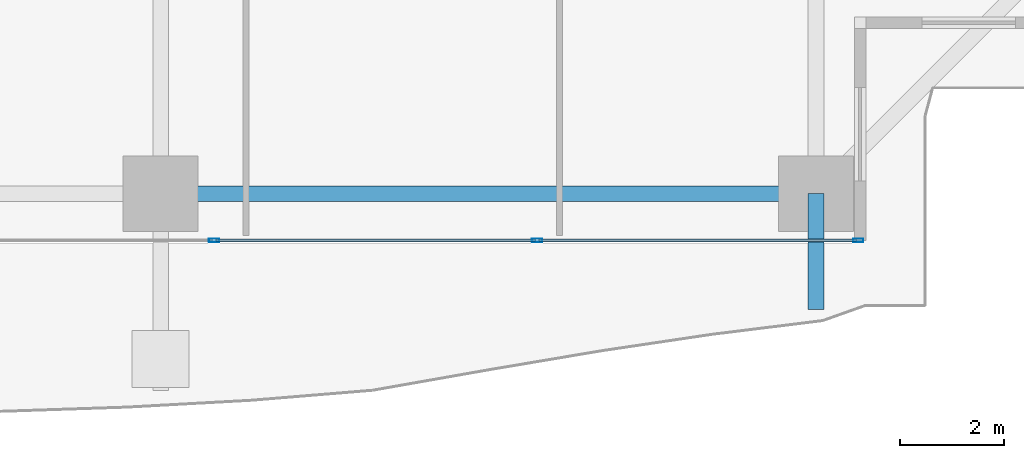
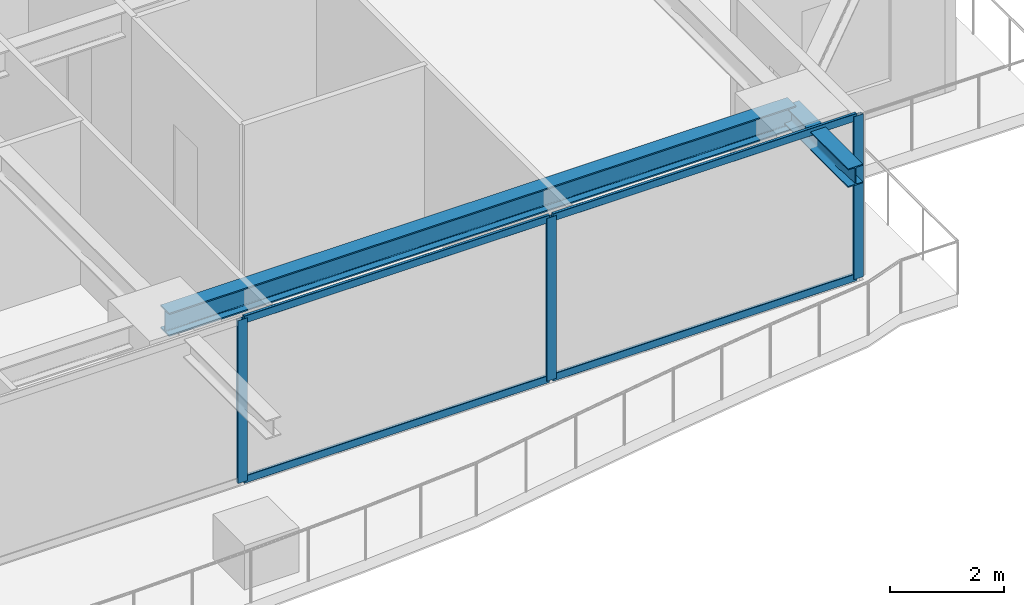
# One storey, part 11 of 40: 7 members, 2 beams, 1 element without a shape of its own.
"""IFC4 building model written with IfcOpenShell, lengths in metres."""

from ifc_helpers import new_model, si_unit, direction, frame, origin, origin_2d, place, context, subcontext, project, spatial, hollow_rectangle, i_section, extrude, source, transform, mapped, material, layer, layer_set, material_profile, profile_set, type_object, element, aggregate, save


model = new_model("IFC4")

# Units and contexts
model_context = context("Model", 3, precision=1e-05, world=origin(), true_north=direction((0.0, 1.0)))
body_context = subcontext(model_context, "Body", "Model", "MODEL_VIEW")
ifc_project = project(units=[si_unit("LENGTHUNIT", "METRE"), si_unit("AREAUNIT", "SQUARE_METRE"), si_unit("VOLUMEUNIT", "CUBIC_METRE"), si_unit("PLANEANGLEUNIT", "RADIAN"), si_unit("MASSUNIT", "GRAM", prefix="KILO")], contexts=[model_context])

# Site, building, storey
site_placement = place(None, origin())
site = spatial("IfcSite", under=ifc_project, at=site_placement, CompositionType="ELEMENT")
building_placement = place(site_placement, origin())
building = spatial("IfcBuilding", under=site, at=building_placement, Name="Serunith Strait Residences", CompositionType="ELEMENT")
storey_placement = place(building_placement, frame((0.0, 0.0, 90.449951171875)))
storey = spatial("IfcBuildingStorey", under=building, at=storey_placement, Name="L22", CompositionType="ELEMENT", Elevation=90.449951171875)

# Beams
ifc_material_1 = material(Name="Steel S355J2", Category="steel")
ifc_material_profile_1 = material_profile(ifc_material_1, i_section(OverallWidth=0.300048828125, OverallDepth=0.5, WebThickness=0.014404296875, FlangeThickness=0.028076171875, FilletRadius=0.027099609375, at=origin_2d()), Name="HEB 500")
ifc_profile_set_1 = profile_set([ifc_material_profile_1], Name="Steel S355J2")
beam_type_1 = type_object("IfcBeamType", Name="BM-HEB500", PredefinedType="BEAM", material=ifc_profile_set_1)
shared_shape_1 = source(origin(), body_context, "Body", "SweptSolid", [
    extrude(i_section(OverallWidth=0.300048828125, OverallDepth=0.5, WebThickness=0.014404296875, FlangeThickness=0.028076171875, FilletRadius=0.027099609375, at=origin_2d()), origin(), (0.0, 0.0, 1.0), 12.650146484375),
])
beam_1_placement = place(storey_placement, frame((36.89990234375, 1.10009765625, 3.237060546875), z_axis=(1.0, 0.0, 0.0), x_axis=(0.0, 1.0, 0.0)))
element("IfcBeam", 1, at=beam_1_placement, inside=storey, type_object=beam_type_1, Name="L22 Perimeter Ring Beam 03", PredefinedType="BEAM", context=body_context, shape_type="MappedRepresentation", body=[
    mapped(shared_shape_1, transform((0.0, 0.0, 0.0), scale=1.0)),
])
ifc_material_profile_2 = material_profile(ifc_material_1, i_section(OverallWidth=0.300048828125, OverallDepth=0.39990234375, WebThickness=0.013427734375, FlangeThickness=0.02392578125, FilletRadius=0.027099609375, at=origin_2d()), Name="HEB 400")
ifc_profile_set_2 = profile_set([ifc_material_profile_2], Name="Steel S355J2")
beam_type_2 = type_object("IfcBeamType", Name="BM-HEB400", PredefinedType="BEAM", material=ifc_profile_set_2)
shared_shape_2 = source(origin(), body_context, "Body", "SweptSolid", [
    extrude(i_section(OverallWidth=0.300048828125, OverallDepth=0.39990234375, WebThickness=0.013427734375, FlangeThickness=0.02392578125, FilletRadius=0.027099609375, at=origin_2d()), origin(), (0.0, 0.0, 1.0), 2.23779296875),
])
beam_2_placement = place(storey_placement, frame((49.550048828125, 1.10009765625, 3.257080078125), z_axis=(0.0, -1.0, 0.0), x_axis=(1.0, 0.0, 0.0)))
element("IfcBeam", 2, at=beam_2_placement, inside=storey, type_object=beam_type_2, Name="L23 Cantilevered Balcony Rib TC-S4", PredefinedType="BEAM", context=body_context, shape_type="MappedRepresentation", body=[
    mapped(shared_shape_2, transform((0.0, 0.0, 0.0), scale=1.0)),
])

# Curtain wall, members
ifc_material_2 = material(Name="Pale-Champagne Anodised Aluminium", Category="aluminium")
ifc_layer = layer(ifc_material_2, 0.199951171875, Name="Pale-Champagne Anodised Aluminium")
ifc_layer_set = layer_set([ifc_layer], Name="Pale-Champagne Anodised Aluminium")
curtain_wall_type = type_object("IfcCurtainWallType", Name="CW-SYS1", PredefinedType="NOTDEFINED", material=ifc_layer_set)
curtain_wall_placement = place(storey_placement, origin())
curtain_wall = element("IfcCurtainWall", 3, at=curtain_wall_placement, inside=storey, type_object=curtain_wall_type, Name="L22 S Unitised Fritted Curtain Wall", PredefinedType="NOTDEFINED")
ifc_material_profile_3 = material_profile(ifc_material_2, hollow_rectangle(XDim=0.070068359375, YDim=0.199951171875, WallThickness=0.00390625, InnerFilletRadius=0.006103515625, OuterFilletRadius=0.010009765625, at=origin_2d()), Name="ALU 200x70x4")
ifc_profile_set_3 = profile_set([ifc_material_profile_3], Name="Pale-Champagne Anodised Aluminium")
member_type_1 = type_object("IfcMemberType", Name="CW-SYS1-MULL", PredefinedType="MULLION", material=ifc_profile_set_3)
shared_shape_3 = source(origin(), body_context, "Body", "SweptSolid", [
    extrude(hollow_rectangle(XDim=0.070068359375, YDim=0.199951171875, WallThickness=0.00390625, InnerFilletRadius=0.006103515625, OuterFilletRadius=0.010009765625, at=origin_2d()), origin(), (0.0, 0.0, 1.0), 3.47509765625),
])
member_1_placement = place(storey_placement, frame((37.933349609375, 0.199951171875, 0.0), z_axis=(0.0, 0.0, 1.0), x_axis=(0.0, 1.0, 0.0)))
member_1 = element("IfcMember", 4, at=member_1_placement, type_object=member_type_1, Name="CW-1 mullion 2", PredefinedType="MULLION", context=body_context, shape_type="MappedRepresentation", body=[
    mapped(shared_shape_3, transform((0.0, 0.0, 0.0), scale=1.0)),
])
member_2_placement = place(storey_placement, frame((44.166748046875, 0.199951171875, 0.0), z_axis=(0.0, 0.0, 1.0), x_axis=(0.0, 1.0, 0.0)))
member_2 = element("IfcMember", 5, at=member_2_placement, type_object=member_type_1, Name="CW-1 mullion 3", PredefinedType="MULLION", context=body_context, shape_type="MappedRepresentation", body=[
    mapped(shared_shape_3, transform((0.0, 0.0, 0.0), scale=1.0)),
])
member_3_placement = place(storey_placement, frame((50.364990234375, 0.199951171875, 0.0), z_axis=(0.0, 0.0, 1.0), x_axis=(0.0, 1.0, 0.0)))
member_3 = element("IfcMember", 6, at=member_3_placement, type_object=member_type_1, Name="CW-1 mullion 4", PredefinedType="MULLION", context=body_context, shape_type="MappedRepresentation", body=[
    mapped(shared_shape_3, transform((0.0, 0.0, 0.0), scale=1.0)),
])
ifc_material_profile_4 = material_profile(ifc_material_2, hollow_rectangle(XDim=0.06005859375, YDim=0.159912109375, WallThickness=0.00341796875, InnerFilletRadius=0.00537109375, OuterFilletRadius=0.0087890625, at=origin_2d()), Name="ALU 160x60x3.5")
ifc_profile_set_4 = profile_set([ifc_material_profile_4], Name="Pale-Champagne Anodised Aluminium")
member_type_2 = type_object("IfcMemberType", Name="CW-SYS1-TRAN", PredefinedType="USERDEFINED", material=ifc_profile_set_4)
shared_shape_4 = source(origin(), body_context, "Body", "SweptSolid", [
    extrude(hollow_rectangle(XDim=0.06005859375, YDim=0.159912109375, WallThickness=0.00341796875, InnerFilletRadius=0.00537109375, OuterFilletRadius=0.0087890625, at=origin_2d()), origin(), (0.0, 0.0, 1.0), 6.12841796875),
])
member_4_placement = place(storey_placement, frame((44.20166015625, 0.199951171875, 0.030029296875), z_axis=(1.0, 0.0, 0.0), x_axis=(0.0, 1.0, 0.0)))
member_4 = element("IfcMember", 7, at=member_4_placement, type_object=member_type_2, Name="CW-1 transom 3.1", ObjectType="TRANSOM", PredefinedType="USERDEFINED", context=body_context, shape_type="MappedRepresentation", body=[
    mapped(shared_shape_4, transform((0.0, 0.0, 0.0), scale=1.0)),
])
member_5_placement = place(storey_placement, frame((44.20166015625, 0.199951171875, 3.445068359375), z_axis=(1.0, 0.0, 0.0), x_axis=(0.0, 1.0, 0.0)))
member_5 = element("IfcMember", 8, at=member_5_placement, type_object=member_type_2, Name="CW-1 transom 3.2", ObjectType="TRANSOM", PredefinedType="USERDEFINED", context=body_context, shape_type="MappedRepresentation", body=[
    mapped(shared_shape_4, transform((0.0, 0.0, 0.0), scale=1.0)),
])
shared_shape_5 = source(origin(), body_context, "Body", "SweptSolid", [
    extrude(hollow_rectangle(XDim=0.06005859375, YDim=0.159912109375, WallThickness=0.00341796875, InnerFilletRadius=0.00537109375, OuterFilletRadius=0.0087890625, at=origin_2d()), origin(), (0.0, 0.0, 1.0), 6.163330078125),
])
member_6_placement = place(storey_placement, frame((37.96826171875, 0.199951171875, 0.030029296875), z_axis=(1.0, 0.0, 0.0), x_axis=(0.0, 1.0, 0.0)))
member_6 = element("IfcMember", 9, at=member_6_placement, type_object=member_type_2, Name="CW-1 transom 2.1", ObjectType="TRANSOM", PredefinedType="USERDEFINED", context=body_context, shape_type="MappedRepresentation", body=[
    mapped(shared_shape_5, transform((0.0, 0.0, 0.0), scale=1.0)),
])
member_7_placement = place(storey_placement, frame((37.96826171875, 0.199951171875, 3.445068359375), z_axis=(1.0, 0.0, 0.0), x_axis=(0.0, 1.0, 0.0)))
member_7 = element("IfcMember", 10, at=member_7_placement, type_object=member_type_2, Name="CW-1 transom 2.2", ObjectType="TRANSOM", PredefinedType="USERDEFINED", context=body_context, shape_type="MappedRepresentation", body=[
    mapped(shared_shape_5, transform((0.0, 0.0, 0.0), scale=1.0)),
])
aggregate(curtain_wall, [member_1, member_2, member_3, member_6, member_7, member_4, member_5])

save(model, "model.ifc")
